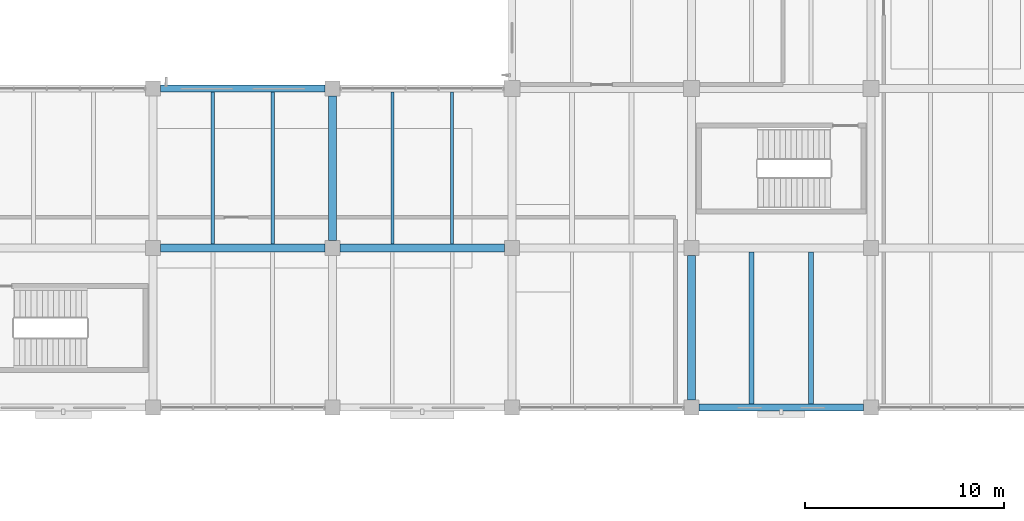
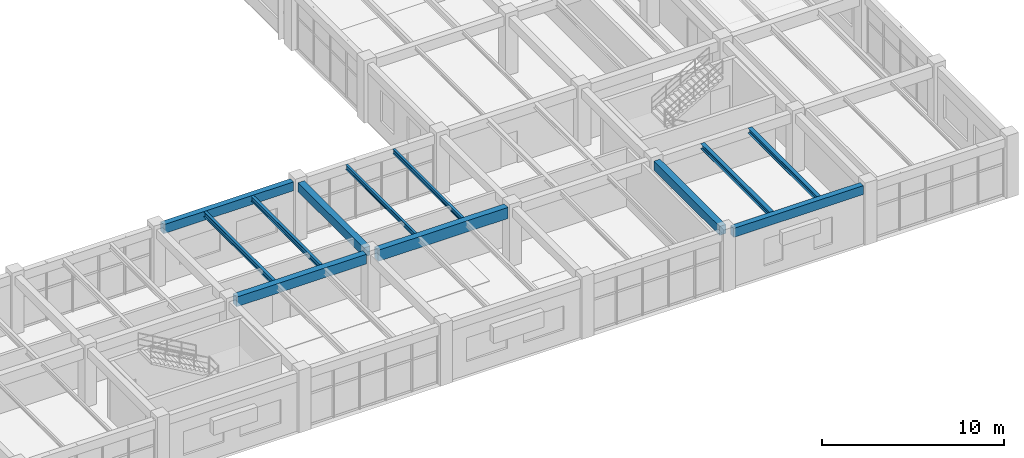
# One storey, part 88 of 148: 12 beams.
"""IFC4 building model written with IfcOpenShell, lengths in metres."""

from ifc_helpers import new_model, si_unit, derived_unit, direction, frame, origin, origin_2d, place, context, subcontext, project, spatial, rectangle, i_section, extrude, material, material_profile, profile_set, type_object, element, save


model = new_model("IFC4")

# Units and contexts
model_context = context("Model", 3, precision=1e-05, world=origin(), true_north=direction((0.0, 1.0)))
body_context = subcontext(model_context, "Body", "Model", "MODEL_VIEW")
ifc_project = project(units=[si_unit("LENGTHUNIT", "METRE"), si_unit("AREAUNIT", "SQUARE_METRE"), si_unit("VOLUMEUNIT", "CUBIC_METRE"), si_unit("PLANEANGLEUNIT", "RADIAN"), si_unit("MASSUNIT", "GRAM", prefix="KILO"), derived_unit("THERMALTRANSMITTANCEUNIT", [(si_unit("MASSUNIT", "GRAM", prefix="KILO"), 1), (si_unit("TIMEUNIT", "SECOND"), -3), (si_unit("THERMODYNAMICTEMPERATUREUNIT", "KELVIN"), -1)])], contexts=[model_context])

# Site, building, storey
site_placement = place(None, origin())
site = spatial("IfcSite", under=ifc_project, at=site_placement, CompositionType="ELEMENT")
building_placement = place(site_placement, origin())
building = spatial("IfcBuilding", under=site, at=building_placement, Name="Zhenchuan Archway Interchange", CompositionType="ELEMENT")
storey_placement = place(building_placement, frame((0.0, 0.0, 10.199951171875)))
storey = spatial("IfcBuildingStorey", under=building, at=storey_placement, Name="L02", CompositionType="ELEMENT", Elevation=10.199951171875)

# Beams
ifc_material_1 = material(Name="Concrete C40", Category="concrete")
ifc_material_profile_1 = material_profile(ifc_material_1, rectangle(XDim=0.39990234375, YDim=0.60009765625, at=origin_2d()), Name="RC 400x600")
ifc_profile_set_1 = profile_set([ifc_material_profile_1], Name="Concrete C40")
beam_type_1 = type_object("IfcBeamType", Name="BM_RC_400x600", PredefinedType="BEAM", material=ifc_profile_set_1)
for number, where, z_axis, x_axis, name in (
    (1, (135.0, 16.375, 3.6201171875), (0.0, 1.0, 0.0), (-1.0, 0.0, 0.0), "Beam 16:C-D (L02)"),
    (2, (153.0, 8.375, 3.6201171875), (0.0, 1.0, 0.0), (-1.0, 0.0, 0.0), "Beam 18:B-C (L02)"),
):
    element("IfcBeam", number, at=place(storey_placement, frame(where, z_axis=z_axis, x_axis=x_axis)), inside=storey, type_object=beam_type_1, Name=name, PredefinedType="BEAM", context=body_context, shape_type="SweptSolid", body=[
        extrude(rectangle(XDim=0.39990234375, YDim=0.60009765625, at=origin_2d()), origin(), (0.0, 0.0, 1.0), 7.25),
    ])
ifc_material_profile_2 = material_profile(ifc_material_1, rectangle(XDim=0.39990234375, YDim=0.64990234375, at=origin_2d()), Name="RC 400x650")
ifc_profile_set_2 = profile_set([ifc_material_profile_2], Name="Concrete C40")
beam_type_2 = type_object("IfcBeamType", Name="BM_RC_400x650", PredefinedType="BEAM", material=ifc_profile_set_2)
beam_1_placement = place(storey_placement, frame((126.375, 16.0, 3.594970703125), z_axis=(1.0, 0.0, 0.0), x_axis=(0.0, 1.0, 0.0)))
element("IfcBeam", 3, at=beam_1_placement, inside=storey, type_object=beam_type_2, Name="Beam C:15-16 (L02)", PredefinedType="BEAM", context=body_context, shape_type="SweptSolid", body=[
    extrude(rectangle(XDim=0.39990234375, YDim=0.64990234375, at=origin_2d()), origin(), (0.0, 0.0, 1.0), 8.25),
])
ifc_material_profile_3 = material_profile(ifc_material_1, rectangle(XDim=0.39990234375, YDim=0.75, at=origin_2d()), Name="RC 400x750")
ifc_profile_set_3 = profile_set([ifc_material_profile_3], Name="Concrete C40")
beam_type_3 = type_object("IfcBeamType", Name="BM_RC_400x750", PredefinedType="BEAM", material=ifc_profile_set_3)
beam_2_placement = place(storey_placement, frame((135.375, 16.0, 3.545166015625), z_axis=(1.0, 0.0, 0.0), x_axis=(0.0, 1.0, 0.0)))
element("IfcBeam", 4, at=beam_2_placement, inside=storey, type_object=beam_type_3, Name="Beam C:16-17 (L02)", PredefinedType="BEAM", context=body_context, shape_type="SweptSolid", body=[
    extrude(rectangle(XDim=0.39990234375, YDim=0.75, at=origin_2d()), origin(), (0.0, 0.0, 1.0), 8.25),
])
ifc_material_2 = material(Name="Steel Q355", Category="steel")
ifc_material_profile_4 = material_profile(ifc_material_2, i_section(OverallWidth=0.25, OverallDepth=0.340087890625, WebThickness=0.009033203125, FlangeThickness=0.013916015625, FilletRadius=0.01806640625, at=origin_2d()), Name="HM 340x250")
ifc_profile_set_4 = profile_set([ifc_material_profile_4], Name="Steel Q355")
beam_type_4 = type_object("IfcBeamType", Name="JST_STL_HM340", PredefinedType="JOIST", material=ifc_profile_set_4)
for number, where, z_axis, x_axis, name in (
    (5, (156.0, 8.175048828125, 3.75), (0.0, 1.0, 0.0), (-1.0, 0.0, 0.0), "Secondary joist 18-19/B-C #1 (L02)"),
    (6, (159.0, 8.175048828125, 3.75), (0.0, 1.0, 0.0), (-1.0, 0.0, 0.0), "Secondary joist 18-19/B-C #2 (L02)"),
):
    element("IfcBeam", number, at=place(storey_placement, frame(where, z_axis=z_axis, x_axis=x_axis)), inside=storey, type_object=beam_type_4, Name=name, PredefinedType="JOIST", context=body_context, shape_type="SweptSolid", body=[
        extrude(i_section(OverallWidth=0.25, OverallDepth=0.340087890625, WebThickness=0.009033203125, FlangeThickness=0.013916015625, FilletRadius=0.01806640625, at=origin_2d()), origin(), (0.0, 0.0, 1.0), 7.625),
    ])
ifc_material_profile_5 = material_profile(ifc_material_2, i_section(OverallWidth=0.14990234375, OverallDepth=0.300048828125, WebThickness=0.006591796875, FlangeThickness=0.009033203125, FilletRadius=0.012939453125, at=origin_2d()), Name="HN 300x150")
ifc_profile_set_5 = profile_set([ifc_material_profile_5], Name="Steel Q355")
beam_type_5 = type_object("IfcBeamType", Name="JST_STL_HN300", PredefinedType="JOIST", material=ifc_profile_set_5)
for number, where, z_axis, x_axis, name in (
    (7, (138.0, 16.199951171875, 3.77001953125), (0.0, 1.0, 0.0), (-1.0, 0.0, 0.0), "Secondary joist 16-17/C-D #1 (L02)"),
    (8, (141.0, 16.199951171875, 3.77001953125), (0.0, 1.0, 0.0), (-1.0, 0.0, 0.0), "Secondary joist 16-17/C-D #2 (L02)"),
):
    element("IfcBeam", number, at=place(storey_placement, frame(where, z_axis=z_axis, x_axis=x_axis)), inside=storey, type_object=beam_type_5, Name=name, PredefinedType="JOIST", context=body_context, shape_type="SweptSolid", body=[
        extrude(i_section(OverallWidth=0.14990234375, OverallDepth=0.300048828125, WebThickness=0.006591796875, FlangeThickness=0.009033203125, FilletRadius=0.012939453125, at=origin_2d()), origin(), (0.0, 0.0, 1.0), 7.625),
    ])
ifc_material_profile_6 = material_profile(ifc_material_2, i_section(OverallWidth=0.175048828125, OverallDepth=0.35009765625, WebThickness=0.007080078125, FlangeThickness=0.010986328125, FilletRadius=0.013916015625, at=origin_2d()), Name="HN 350x175")
ifc_profile_set_6 = profile_set([ifc_material_profile_6], Name="Steel Q355")
beam_type_6 = type_object("IfcBeamType", Name="JST_STL_HN350", PredefinedType="JOIST", material=ifc_profile_set_6)
for number, where, z_axis, x_axis, name in (
    (9, (129.0, 16.199951171875, 3.7451171875), (0.0, 1.0, 0.0), (-1.0, 0.0, 0.0), "Secondary joist 15-16/C-D #1 (L02)"),
    (10, (132.0, 16.199951171875, 3.7451171875), (0.0, 1.0, 0.0), (-1.0, 0.0, 0.0), "Secondary joist 15-16/C-D #2 (L02)"),
):
    element("IfcBeam", number, at=place(storey_placement, frame(where, z_axis=z_axis, x_axis=x_axis)), inside=storey, type_object=beam_type_6, Name=name, PredefinedType="JOIST", context=body_context, shape_type="SweptSolid", body=[
        extrude(i_section(OverallWidth=0.175048828125, OverallDepth=0.35009765625, WebThickness=0.007080078125, FlangeThickness=0.010986328125, FilletRadius=0.013916015625, at=origin_2d()), origin(), (0.0, 0.0, 1.0), 7.625),
    ])
ifc_material_profile_7 = material_profile(ifc_material_1, rectangle(XDim=0.35009765625, YDim=0.60009765625, at=origin_2d()), Name="RC 350x600")
ifc_profile_set_7 = profile_set([ifc_material_profile_7], Name="Concrete C40")
beam_type_7 = type_object("IfcBeamType", Name="SP_RC_350x600", PredefinedType="SPANDREL", material=ifc_profile_set_7)
for number, where, z_axis, x_axis, name in (
    (11, (153.375, 8.0, 3.6201171875), (1.0, 0.0, 0.0), (0.0, 1.0, 0.0), "Beam B:18-19 (L02)"),
    (12, (126.375, 24.0, 3.6201171875), (1.0, 0.0, 0.0), (0.0, 1.0, 0.0), "Beam D:15-16 (L02)"),
):
    element("IfcBeam", number, at=place(storey_placement, frame(where, z_axis=z_axis, x_axis=x_axis)), inside=storey, type_object=beam_type_7, Name=name, PredefinedType="SPANDREL", context=body_context, shape_type="SweptSolid", body=[
        extrude(rectangle(XDim=0.35009765625, YDim=0.60009765625, at=origin_2d()), origin(), (0.0, 0.0, 1.0), 8.25),
    ])

save(model, "model.ifc")
